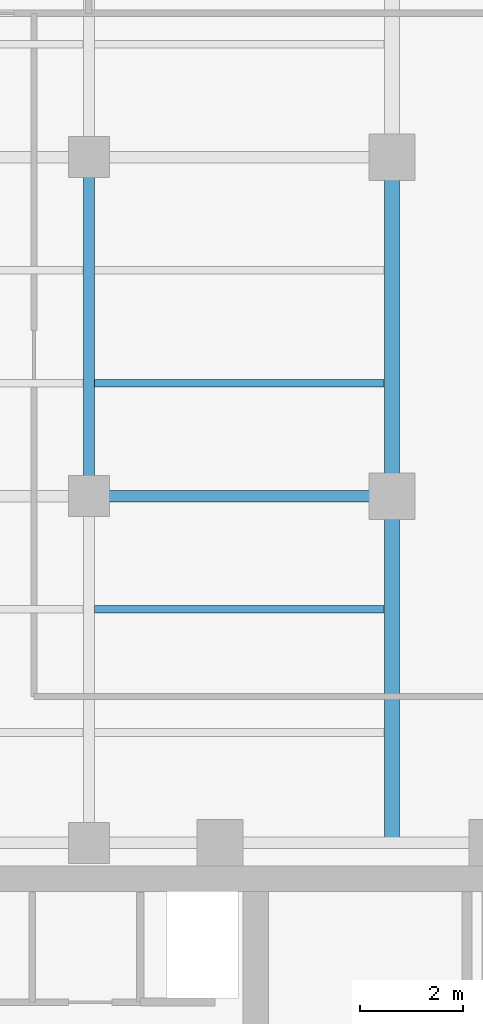
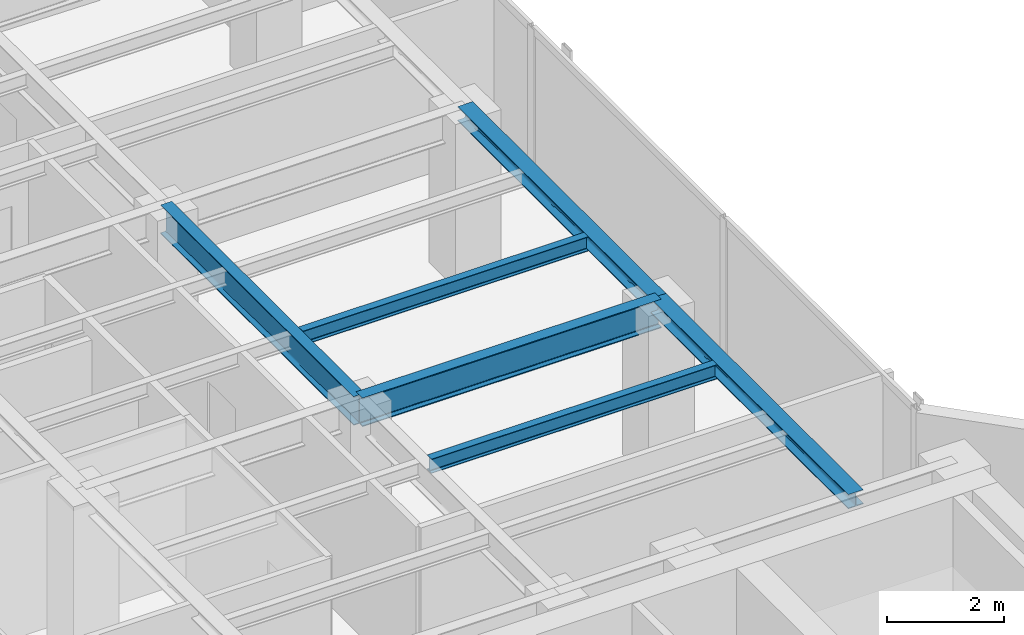
# One storey, part 8 of 23: 6 beams.
"""IFC4 building model written with IfcOpenShell, lengths in metres."""

from ifc_helpers import new_model, si_unit, direction, frame, origin, origin_2d, place, context, subcontext, project, spatial, i_section, extrude, material, material_profile, profile_set, type_object, element, save


model = new_model("IFC4")

# Units and contexts
model_context = context("Model", 3, precision=1e-05, world=origin(), true_north=direction((0.0, 1.0)))
body_context = subcontext(model_context, "Body", "Model", "MODEL_VIEW")
ifc_project = project(units=[si_unit("LENGTHUNIT", "METRE"), si_unit("AREAUNIT", "SQUARE_METRE"), si_unit("VOLUMEUNIT", "CUBIC_METRE"), si_unit("PLANEANGLEUNIT", "RADIAN"), si_unit("MASSUNIT", "GRAM", prefix="KILO")], contexts=[model_context])

# Site, building, storey
site_placement = place(None, origin())
site = spatial("IfcSite", under=ifc_project, at=site_placement, CompositionType="ELEMENT")
building_placement = place(site_placement, origin())
building = spatial("IfcBuilding", under=site, at=building_placement, Name="Kolvaren Waterfront Exchange", CompositionType="ELEMENT")
storey_placement = place(building_placement, frame((0.0, 0.0, 335.0)))
storey = spatial("IfcBuildingStorey", under=building, at=storey_placement, Name="L86", CompositionType="ELEMENT", Elevation=335.0)

# Beams
ifc_material = material(Name="Steel S355", Category="steel")
ifc_material_profile_1 = material_profile(ifc_material, i_section(OverallWidth=0.300048828125, OverallDepth=0.300048828125, WebThickness=0.010986328125, FlangeThickness=0.01904296875, FilletRadius=0.027099609375, at=origin_2d()), Name="HEB300")
ifc_profile_set_1 = profile_set([ifc_material_profile_1], Name="Steel S355")
beam_type_1 = type_object("IfcBeamType", Name="STR-BM-HEB300", PredefinedType="SPANDREL", material=ifc_profile_set_1)
beam_1_placement = place(storey_placement, frame((18.800048828125, 24.449951171875, 3.27001953125), z_axis=(0.0, 1.0, 0.0), x_axis=(-1.0, 0.0, 0.0)))
element("IfcBeam", 1, at=beam_1_placement, inside=storey, type_object=beam_type_1, Name="L86 north-arm edge beam 1", PredefinedType="SPANDREL", context=body_context, shape_type="SweptSolid", body=[
    extrude(i_section(OverallWidth=0.300048828125, OverallDepth=0.300048828125, WebThickness=0.010986328125, FlangeThickness=0.01904296875, FilletRadius=0.027099609375, at=origin_2d()), origin(), (0.0, 0.0, 1.0), 6.75),
])
beam_2_placement = place(storey_placement, frame((18.800048828125, 31.199951171875, 3.27001953125), z_axis=(0.0, 1.0, 0.0), x_axis=(-1.0, 0.0, 0.0)))
element("IfcBeam", 2, at=beam_2_placement, inside=storey, type_object=beam_type_1, Name="L86 north-arm edge beam 2", PredefinedType="SPANDREL", context=body_context, shape_type="SweptSolid", body=[
    extrude(i_section(OverallWidth=0.300048828125, OverallDepth=0.300048828125, WebThickness=0.010986328125, FlangeThickness=0.01904296875, FilletRadius=0.027099609375, at=origin_2d()), origin(), (0.0, 0.0, 1.0), 6.60009765625),
])
ifc_material_profile_2 = material_profile(ifc_material, i_section(OverallWidth=0.14990234375, OverallDepth=0.300048828125, WebThickness=0.007080078125, FlangeThickness=0.0107421875, FilletRadius=0.014892578125, at=origin_2d()), Name="IPE300")
ifc_profile_set_2 = profile_set([ifc_material_profile_2], Name="Steel S355")
beam_type_2 = type_object("IfcBeamType", Name="STR-BM-IPE300", PredefinedType="JOIST", material=ifc_profile_set_2)
for number, where, z_axis, x_axis, name in (
    (3, (13.011962890625, 29.0, 3.27001953125), (1.0, 0.0, 0.0), (0.0, 1.0, 0.0), "L86 north-arm composite joist 2B"),
    (4, (13.011962890625, 33.39990234375, 3.27001953125), (1.0, 0.0, 0.0), (0.0, 1.0, 0.0), "L86 north-arm composite joist 3B"),
):
    element("IfcBeam", number, at=place(storey_placement, frame(where, z_axis=z_axis, x_axis=x_axis)), inside=storey, type_object=beam_type_2, Name=name, PredefinedType="JOIST", context=body_context, shape_type="SweptSolid", body=[
        extrude(i_section(OverallWidth=0.14990234375, OverallDepth=0.300048828125, WebThickness=0.007080078125, FlangeThickness=0.0107421875, FilletRadius=0.014892578125, at=origin_2d()), origin(), (0.0, 0.0, 1.0), 5.635986328125),
    ])
ifc_material_profile_3 = material_profile(ifc_material, i_section(OverallWidth=0.219970703125, OverallDepth=0.60009765625, WebThickness=0.011962890625, FlangeThickness=0.01904296875, FilletRadius=0.02392578125, at=origin_2d()), Name="IPE600")
ifc_profile_set_3 = profile_set([ifc_material_profile_3], Name="Steel S355")
beam_type_3 = type_object("IfcBeamType", Name="STR-BM-IPE600", PredefinedType="BEAM", material=ifc_profile_set_3)
beam_3_placement = place(storey_placement, frame((12.89990234375, 31.199951171875, 3.1201171875), z_axis=(1.0, 0.0, 0.0), x_axis=(0.0, 1.0, 0.0)))
element("IfcBeam", 5, at=beam_3_placement, inside=storey, type_object=beam_type_3, Name="L86 north-arm girder 2B", PredefinedType="BEAM", context=body_context, shape_type="SweptSolid", body=[
    extrude(i_section(OverallWidth=0.219970703125, OverallDepth=0.60009765625, WebThickness=0.011962890625, FlangeThickness=0.01904296875, FilletRadius=0.02392578125, at=origin_2d()), origin(), (0.0, 0.0, 1.0), 5.900146484375),
])
beam_4_placement = place(storey_placement, frame((12.89990234375, 31.199951171875, 3.1201171875), z_axis=(0.0, 1.0, 0.0), x_axis=(-1.0, 0.0, 0.0)))
element("IfcBeam", 6, at=beam_4_placement, inside=storey, type_object=beam_type_3, Name="L86 north-arm edge beam 2", PredefinedType="BEAM", context=body_context, shape_type="SweptSolid", body=[
    extrude(i_section(OverallWidth=0.219970703125, OverallDepth=0.60009765625, WebThickness=0.011962890625, FlangeThickness=0.01904296875, FilletRadius=0.02392578125, at=origin_2d()), origin(), (0.0, 0.0, 1.0), 6.60009765625),
])

save(model, "model.ifc")
